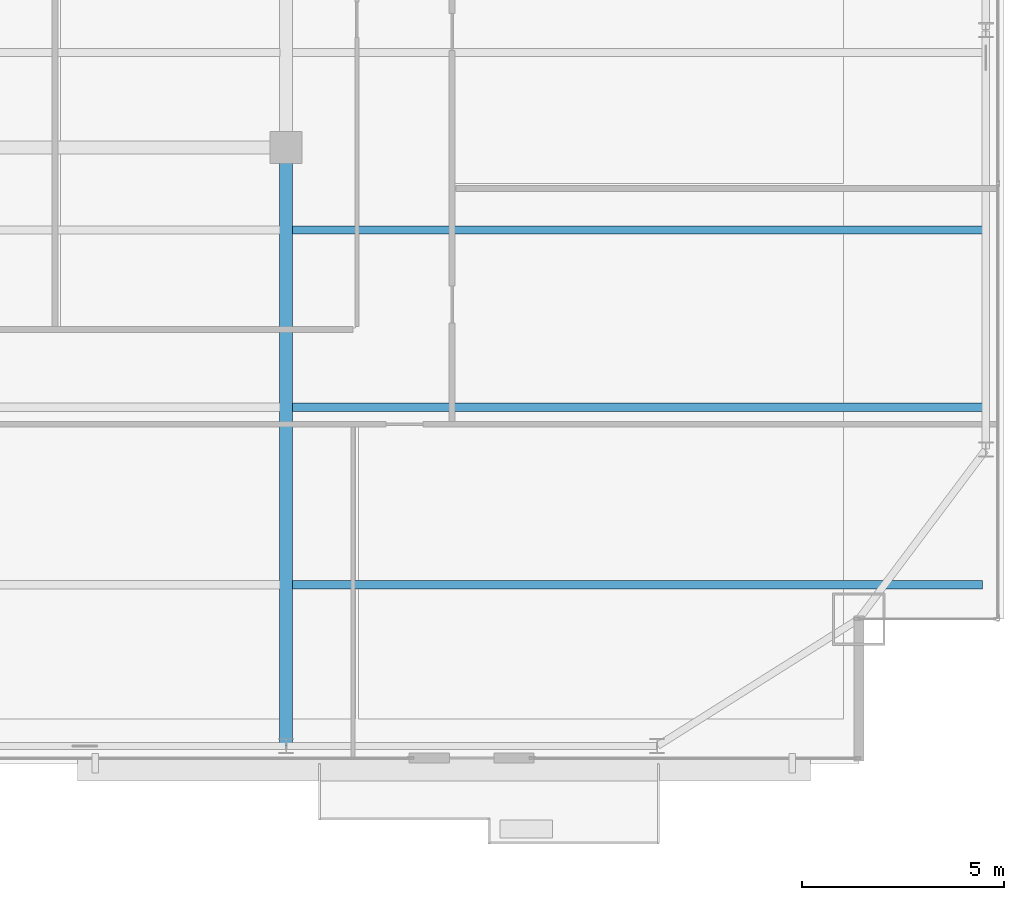
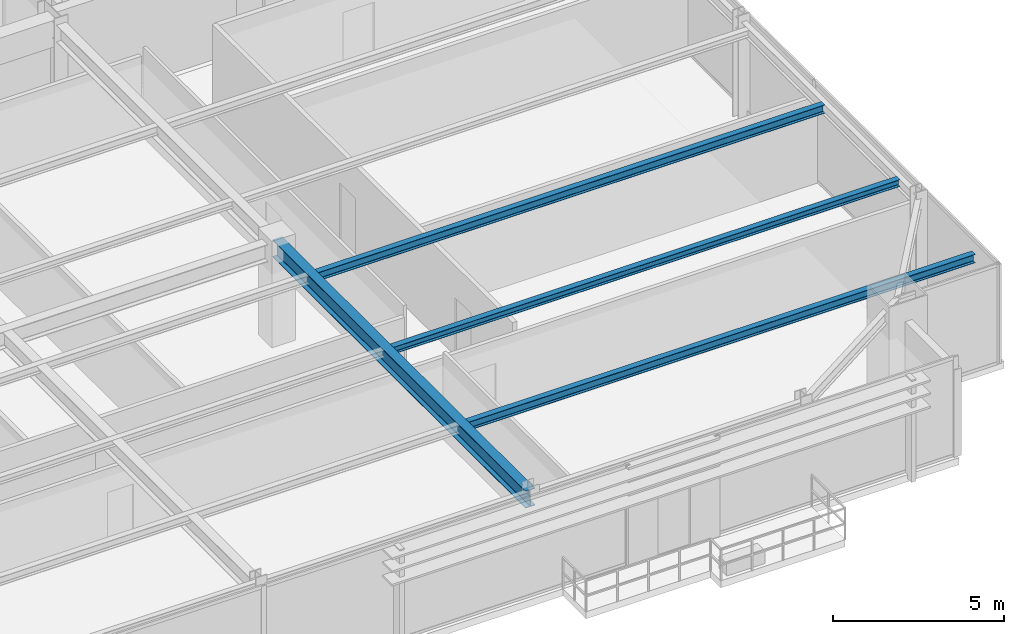
# One storey, part 15 of 31: 4 beams.
"""IFC4 building model written with IfcOpenShell, lengths in metres."""

from ifc_helpers import new_model, si_unit, direction, frame, origin, origin_2d, place, context, subcontext, project, spatial, i_section, extrude, source, transform, mapped, material, material_profile, profile_set, type_object, type_shapes, element, save


model = new_model("IFC4")

# Units and contexts
model_context = context("Model", 3, precision=1e-05, world=origin(), true_north=direction((0.0, 1.0)))
body_context = subcontext(model_context, "Body", "Model", "MODEL_VIEW")
ifc_project = project(units=[si_unit("LENGTHUNIT", "METRE"), si_unit("AREAUNIT", "SQUARE_METRE"), si_unit("VOLUMEUNIT", "CUBIC_METRE"), si_unit("PLANEANGLEUNIT", "RADIAN"), si_unit("MASSUNIT", "GRAM", prefix="KILO")], contexts=[model_context])

# Site, building, storey
site_placement = place(None, origin())
site = spatial("IfcSite", under=ifc_project, at=site_placement, CompositionType="ELEMENT")
building_placement = place(site_placement, origin())
building = spatial("IfcBuilding", under=site, at=building_placement, Name="Varnel Quay Broadcast Tower", CompositionType="ELEMENT")
storey_placement = place(building_placement, frame((0.0, 0.0, 183.800048828125)))
storey = spatial("IfcBuildingStorey", under=building, at=storey_placement, Name="L45", CompositionType="ELEMENT", Elevation=183.800048828125)

# Beams
ifc_material = material(Name="Structural Steel CSA G40.21 350W", Category="steel")
ifc_material_profile_1 = material_profile(ifc_material, i_section(OverallWidth=0.324951171875, OverallDepth=0.615966796875, WebThickness=0.013916015625, FlangeThickness=0.021484375, FilletRadius=0.01611328125, at=origin_2d()), Name="W610X174")
ifc_profile_set_1 = profile_set([ifc_material_profile_1], Name="Structural Steel CSA G40.21 350W")
beam_type_1 = type_object("IfcBeamType", Name="Girder_W610X174", PredefinedType="BEAM", material=ifc_profile_set_1)
shared_shape_1 = source(origin(), body_context, "Body", "SweptSolid", [
    extrude(i_section(OverallWidth=0.324951171875, OverallDepth=0.615966796875, WebThickness=0.013916015625, FlangeThickness=0.021484375, FilletRadius=0.01611328125, at=origin_2d()), origin(), (0.0, 0.0, 1.0), 14.800048828125),
])
type_shapes(beam_type_1, [shared_shape_1])
beam_1_placement = place(storey_placement, frame((43.199951171875, 7.669921875, 3.241943359375), z_axis=(0.0, 1.0, 0.0), x_axis=(-1.0, 0.0, 0.0)))
element("IfcBeam", 1, at=beam_1_placement, inside=storey, type_object=beam_type_1, Name="L45 Primary Girder TC-S4-IC-02", PredefinedType="BEAM", context=body_context, shape_type="MappedRepresentation", body=[
    mapped(shared_shape_1, transform((0.0, 0.0, 0.0), x_axis=(1.0, 0.0, 0.0), y_axis=(0.0, 1.0, 0.0), z_axis=(0.0, 0.0, 1.0), scale=1.0)),
])
ifc_material_profile_2 = material_profile(ifc_material, i_section(OverallWidth=0.202880859375, OverallDepth=0.302978515625, WebThickness=0.007568359375, FlangeThickness=0.01318359375, FilletRadius=0.011962890625, at=origin_2d()), Name="W310X60")
ifc_profile_set_2 = profile_set([ifc_material_profile_2], Name="Structural Steel CSA G40.21 350W")
beam_type_2 = type_object("IfcBeamType", Name="Beam_W310X60", PredefinedType="JOIST", material=ifc_profile_set_2)
shared_shape_2 = source(origin(), body_context, "Body", "SweptSolid", [
    extrude(i_section(OverallWidth=0.202880859375, OverallDepth=0.302978515625, WebThickness=0.007568359375, FlangeThickness=0.01318359375, FilletRadius=0.011962890625, at=origin_2d()), origin(), (0.0, 0.0, 1.0), 17.107177734375),
])
type_shapes(beam_type_2, [shared_shape_2])
for number, where, z_axis, x_axis, name in (
    (2, (43.357421875, 11.64990234375, 3.3984375), (1.0, 0.0, 0.0), (0.0, 1.0, 0.0), "L45 East Floor Joist 1"),
    (3, (43.357421875, 20.449951171875, 3.3984375), (1.0, 0.0, 0.0), (0.0, 1.0, 0.0), "L45 East Floor Joist 3"),
):
    element("IfcBeam", number, at=place(storey_placement, frame(where, z_axis=z_axis, x_axis=x_axis)), inside=storey, type_object=beam_type_2, Name=name, PredefinedType="JOIST", context=body_context, shape_type="MappedRepresentation", body=[
        mapped(shared_shape_2, transform((0.0, 0.0, 0.0), x_axis=(1.0, 0.0, 0.0), y_axis=(0.0, 1.0, 0.0), z_axis=(0.0, 0.0, 1.0), scale=1.0)),
    ])
ifc_material_profile_3 = material_profile(ifc_material, i_section(OverallWidth=0.201904296875, OverallDepth=0.2470703125, WebThickness=0.00732421875, FlangeThickness=0.010986328125, FilletRadius=0.010986328125, at=origin_2d()), Name="W250X49")
ifc_profile_set_3 = profile_set([ifc_material_profile_3], Name="Structural Steel CSA G40.21 350W")
beam_type_3 = type_object("IfcBeamType", Name="Beam_W250X49", PredefinedType="JOIST", material=ifc_profile_set_3)
shared_shape_3 = source(origin(), body_context, "Body", "SweptSolid", [
    extrude(i_section(OverallWidth=0.201904296875, OverallDepth=0.2470703125, WebThickness=0.00732421875, FlangeThickness=0.010986328125, FilletRadius=0.010986328125, at=origin_2d()), origin(), (0.0, 0.0, 1.0), 17.107177734375),
])
type_shapes(beam_type_3, [shared_shape_3])
beam_2_placement = place(storey_placement, frame((43.357421875, 16.050048828125, 3.426513671875), z_axis=(1.0, 0.0, 0.0), x_axis=(0.0, 1.0, 0.0)))
element("IfcBeam", 4, at=beam_2_placement, inside=storey, type_object=beam_type_3, Name="L45 East Floor Joist 2", PredefinedType="JOIST", context=body_context, shape_type="MappedRepresentation", body=[
    mapped(shared_shape_3, transform((0.0, 0.0, 0.0), x_axis=(1.0, 0.0, 0.0), y_axis=(0.0, 1.0, 0.0), z_axis=(0.0, 0.0, 1.0), scale=1.0)),
])

save(model, "model.ifc")
